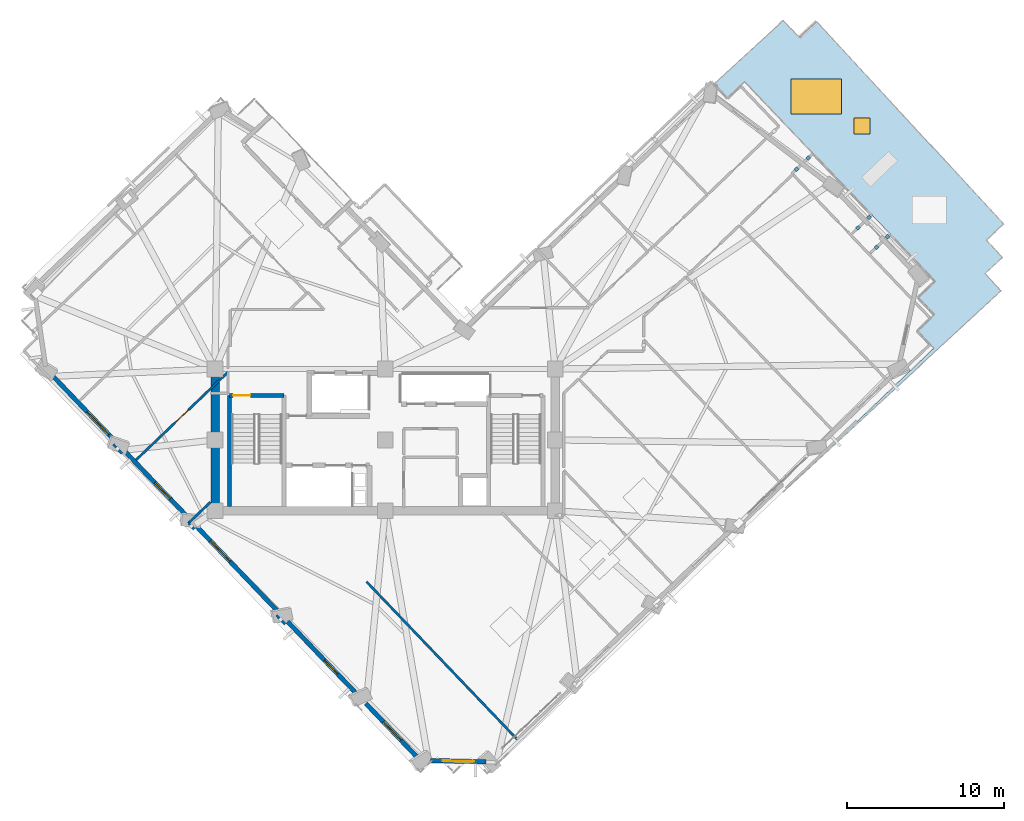
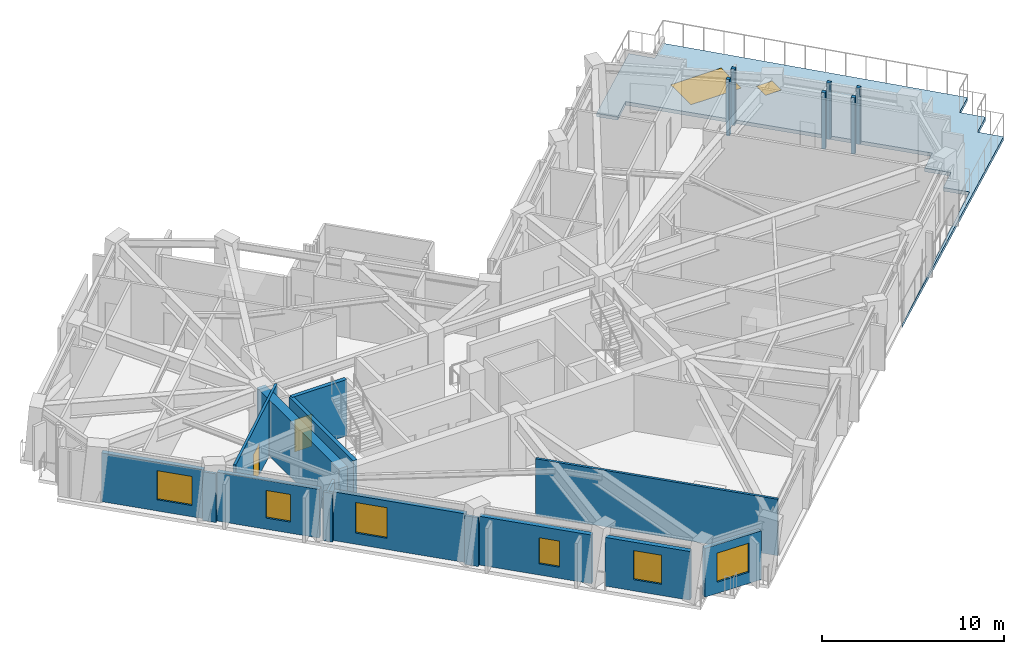
# One storey, part 8 of 17: 15 walls, 7 windows, 6 plates, 3 doors, 1 slab, 10 openings.
"""IFC4 building model written with IfcOpenShell, lengths in metres."""

from ifc_helpers import new_model, si_unit, direction, frame, frame_2d, origin, origin_2d, place, context, subcontext, project, spatial, polyline, rectangle, outline, extrude, material, layer, layer_set, type_object, element, fill, save


model = new_model("IFC4")

# Units and contexts
model_context = context("Model", 3, precision=1e-05, world=origin(), true_north=direction((0.0, 1.0)))
body_context = subcontext(model_context, "Body", "Model", "MODEL_VIEW")
ifc_project = project(units=[si_unit("LENGTHUNIT", "METRE"), si_unit("AREAUNIT", "SQUARE_METRE"), si_unit("VOLUMEUNIT", "CUBIC_METRE"), si_unit("PLANEANGLEUNIT", "RADIAN"), si_unit("MASSUNIT", "GRAM", prefix="KILO")], contexts=[model_context])

# Site, building, storey
site_placement = place(None, origin())
site = spatial("IfcSite", under=ifc_project, at=site_placement, CompositionType="ELEMENT")
building_placement = place(site_placement, origin())
building = spatial("IfcBuilding", under=site, at=building_placement, Name="Gaonmaruhae Medical Tower", CompositionType="ELEMENT")
storey_placement = place(building_placement, frame((0.0, 0.0, 211.199951171875)))
storey = spatial("IfcBuildingStorey", under=building, at=storey_placement, Name="L50", CompositionType="ELEMENT", Elevation=211.199951171875)

# Plates
ifc_material_1 = material(Name="Anodised aluminium 6063-T6", Category="aluminium")
ifc_layer_1 = layer(ifc_material_1, 0.011962890625)
ifc_layer_set_1 = layer_set([ifc_layer_1], Name="Anodised aluminium 6063-T6")
plate_type = type_object("IfcPlateType", Name="PP-01 Interior Partition Corner Stiffener Plate", PredefinedType="SHEET", material=ifc_layer_set_1)
for number, where, z_axis, x_axis, name in (
    (1, (50.9208984375, 29.484619140625, 0.0), (0.0, 0.0, 1.0), (0.722834492686, 0.691021198071, 0.0), "L50 Partition Corner Stiffener Plate PLT-L50-JGP-PW102"),
    (2, (51.66796875, 30.198486328125, 0.0), (0.0, 0.0, 1.0), (0.723461345851, 0.690364889793, 0.0), "L50 Partition Corner Stiffener Plate PLT-L50-JGP-PW103"),
    (3, (55.530517578125, 26.431396484375, 0.0), (0.0, 0.0, 1.0), (-0.722991261815, -0.690857174342, 0.0), "L50 Partition Corner Stiffener Plate PLT-L50-JGP-PW105"),
    (4, (54.8330078125, 25.765380859375, 0.0), (0.0, 0.0, 1.0), (-0.72287067348, -0.690983349599, 0.0), "L50 Partition Corner Stiffener Plate PLT-L50-JGP-PW106"),
    (5, (56.007080078125, 24.53662109375, 0.0), (0.0, 0.0, 1.0), (0.72287067348, 0.690983349599, 0.0), "L50 Partition Corner Stiffener Plate PLT-L50-JGP-PW107"),
    (6, (56.705078125, 25.202880859375, 0.0), (0.0, 0.0, 1.0), (0.723039490982, 0.690806698346, 0.0), "L50 Partition Corner Stiffener Plate PLT-L50-JGP-PW108"),
):
    element("IfcPlate", number, at=place(storey_placement, frame(where, z_axis=z_axis, x_axis=x_axis)), inside=storey, type_object=plate_type, Name=name, PredefinedType="SHEET", context=body_context, shape_type="SweptSolid", body=[
        extrude(rectangle(XDim=0.219970703125, YDim=0.219970703125, at=origin_2d()), origin(), (0.0, 0.0, 1.0), 3.780029296875),
    ])

# Slab, openings, door, window
ifc_material_2 = material(Name="Concrete C40/50", Category="concrete")
ifc_layer_2 = layer(ifc_material_2, 0.239990234375)
ifc_layer_set_2 = layer_set([ifc_layer_2], Name="Concrete C40/50")
slab_type = type_object("IfcSlabType", Name="TS-240 Sky Garden & Recovery Terrace Slab", PredefinedType="FLOOR", material=ifc_layer_set_2)
slab_placement = place(storey_placement, frame((0.0, 0.0, -0.239990234375)))
slab = element("IfcSlab", 7, at=slab_placement, inside=storey, type_object=slab_type, Name="L50 Stacked Setback Sky Garden Terrace Slab 1", PredefinedType="FLOOR", context=body_context, shape_type="SweptSolid", body=[
    extrude(outline(polyline([(51.095947265625, 37.841064453125), (52.197509765625, 38.859130859375), (64.076416015625, 26.008544921875), (62.97509765625, 24.990478515625), (63.993408203125, 23.888916015625), (62.891845703125, 22.87060546875), (63.909912109375, 21.769287109375), (50.101318359375, 9.004638671875), (59.646484375, 18.126220703125), (58.610107421875, 19.210693359375), (59.694580078125, 20.2470703125), (58.658203125, 21.33154296875), (59.742919921875, 22.367919921875), (47.624755859375, 35.048583984375), (46.540283203125, 34.01220703125), (45.697998046875, 34.893798828125), (50.077880859375, 38.9423828125), (51.095947265625, 37.841064453125)])), origin(), (0.0, 0.0, 1.0), 0.239990234375),
])
opening_1_placement = place(slab_placement, frame((52.17578125, 34.10107421875, 0.0)))
opening_1 = element("IfcOpeningElement", 8, at=opening_1_placement, cuts=slab, Name="Opening SK-02", PredefinedType="OPENING", context=body_context, shape_type="SweptSolid", body=[
    extrude(rectangle(XDim=3.199951171875, YDim=2.199951171875, at=origin_2d()), frame((0.0, 0.0, -0.010009765625)), (0.0, 0.0, 1.0), 0.260009765625),
])
opening_2_placement = place(slab_placement, frame((55.07763671875, 32.2333984375, 0.0)))
opening_2 = element("IfcOpeningElement", 9, at=opening_2_placement, cuts=slab, Name="Opening HT-01", PredefinedType="OPENING", context=body_context, shape_type="SweptSolid", body=[
    extrude(rectangle(XDim=1.0, YDim=1.0, at=origin_2d()), frame((0.0, 0.0, -0.010009765625)), (0.0, 0.0, 1.0), 0.260009765625),
])
ifc_material_3 = material(Name="Powder-coated steel access hatch", Category="steel")
door_type_1 = type_object("IfcDoorType", Name="HT-01 Insulated Roof & Terrace Access Hatch 1000x1000", OperationType="NOTDEFINED", PredefinedType="TRAPDOOR", material=ifc_material_3)
door_1_placement = place(opening_2_placement, frame((0.0, 0.0, 0.199951171875)))
door_1 = element("IfcDoor", 10, at=door_1_placement, inside=storey, type_object=door_type_1, Name="L50 Terrace Maintenance Access Hatch SLB-L50-SKYG1", OperationType="SINGLE_SWING_LEFT", OverallHeight=1.0, OverallWidth=1.0, PredefinedType="TRAPDOOR", context=body_context, shape_type="SweptSolid", body=[
    extrude(rectangle(XDim=1.0, YDim=1.0, at=origin_2d()), origin(), (0.0, 0.0, 1.0), 0.0400390625),
])
fill(opening_2, door_1)
ifc_material_4 = material(Name="Anodised aluminium and Low-E double glazing", Category="aluminium")
window_type_1 = type_object("IfcWindowType", Name="SK-02 Sky Garden Canopy Skylight 3200x2200", PartitioningType="SINGLE_PANEL", PredefinedType="SKYLIGHT", material=ifc_material_4)
window_1_placement = place(opening_1_placement, frame((0.0, 0.0, 0.199951171875)))
window_1 = element("IfcWindow", 11, at=window_1_placement, inside=storey, type_object=window_type_1, Name="L50 Daylighting Skylight SLB-L50-SKYG1", OverallHeight=2.199951171875, OverallWidth=3.199951171875, PartitioningType="SINGLE_PANEL", PredefinedType="SKYLIGHT", context=body_context, shape_type="SweptSolid", body=[
    extrude(rectangle(XDim=3.199951171875, YDim=2.199951171875, at=origin_2d()), origin(), (0.0, 0.0, 1.0), 0.0400390625),
])
fill(opening_1, window_1)

# Wall
ifc_material_5 = material(Name="Concrete C50/60", Category="concrete")
ifc_layer_3 = layer(ifc_material_5, 0.550048828125)
ifc_layer_set_3 = layer_set([ifc_layer_3], Name="Concrete C50/60")
wall_type_1 = type_object("IfcWallType", Name="CW-550 Mid-High Core Shear Wall", PredefinedType="SHEAR", material=ifc_layer_set_3)
wall_1_placement = place(storey_placement, frame((14.0, 16.800048828125, 0.0), z_axis=(0.0, 0.0, 1.0), x_axis=(0.0, -1.0, 0.0)))
element("IfcWall", 12, at=wall_1_placement, inside=storey, type_object=wall_type_1, Name="L50 Core Shear Wall CSW-W1", PredefinedType="SHEAR", context=body_context, shape_type="SweptSolid", body=[
    extrude(rectangle(XDim=9.0, YDim=0.550048828125, at=frame_2d((4.5, 0.0))), origin(), (0.0, 0.0, 1.0), 3.780029296875),
])

# Wall, opening, window
ifc_material_6 = material(Name="Precast concrete C45/55", Category="concrete")
ifc_layer_4 = layer(ifc_material_6, 0.280029296875)
ifc_layer_set_4 = layer_set([ifc_layer_4], Name="Precast concrete C45/55")
wall_type_2 = type_object("IfcWallType", Name="EW-280 Upper Precast Masonry-Frame Facade Wall", PredefinedType="SOLIDWALL", material=ifc_layer_set_4)
wall_2_placement = place(storey_placement, frame((7.7001953125, 12.1708984375, 0.0), z_axis=(0.0, 0.0, 1.0), x_axis=(-0.690886955568, 0.722962803072, 0.0)))
wall_2 = element("IfcWall", 13, at=wall_2_placement, inside=storey, type_object=wall_type_2, Name="L50 Precast Masonry-Frame Wall W01-W02", PredefinedType="SOLIDWALL", context=body_context, shape_type="SweptSolid", body=[
    extrude(rectangle(XDim=5.830322265625, YDim=0.280029296875, at=frame_2d((2.9150390625, 0.0))), origin(), (0.0, 0.0, 1.0), 3.26513671875),
])
opening_3_placement = place(wall_2_placement, frame((0.639892578125, 0.0, 0.75)))
opening_3 = element("IfcOpeningElement", 14, at=opening_3_placement, cuts=wall_2, Name="Opening WN-02", PredefinedType="OPENING", context=body_context, shape_type="SweptSolid", body=[
    extrude(rectangle(XDim=2.0, YDim=1.949951171875, at=frame_2d((1.0, 0.97509765625))), frame((0.0, 0.14990234375, 0.0), z_axis=(0.0, -1.0, 0.0), x_axis=(1.0, 0.0, 0.0)), (0.0, 0.0, 1.0), 0.300048828125),
])
window_type_2 = type_object("IfcWindowType", Name="WN-02 Double-Bed Ward Punched Window 2000x1950", PartitioningType="SINGLE_PANEL", PredefinedType="WINDOW", material=ifc_material_4)
window_2_placement = place(opening_3_placement, origin())
window_2 = element("IfcWindow", 15, at=window_2_placement, inside=storey, type_object=window_type_2, Name="L50 Modular Facade Window W01", OverallHeight=1.949951171875, OverallWidth=2.0, PartitioningType="SINGLE_PANEL", PredefinedType="WINDOW", context=body_context, shape_type="SweptSolid", body=[
    extrude(rectangle(XDim=2.0, YDim=1.949951171875, at=frame_2d((1.0, 0.97509765625))), frame((0.0, 0.030029296875, 0.0), z_axis=(0.0, -1.0, 0.0), x_axis=(1.0, 0.0, 0.0)), (0.0, 0.0, 1.0), 0.06005859375),
])
fill(opening_3, window_2)

wall_3_placement = place(storey_placement, frame((12.290283203125, 7.36767578125, 0.0), z_axis=(0.0, 0.0, 1.0), x_axis=(-0.690908576556, 0.722942140729, 0.0)))
wall_3 = element("IfcWall", 16, at=wall_3_placement, inside=storey, type_object=wall_type_2, Name="L50 Precast Masonry-Frame Wall W02-W03", PredefinedType="SOLIDWALL", context=body_context, shape_type="SweptSolid", body=[
    extrude(rectangle(XDim=5.86083984375, YDim=0.280029296875, at=frame_2d((2.930419921875, 0.0))), origin(), (0.0, 0.0, 1.0), 3.26513671875),
])
opening_4_placement = place(wall_3_placement, frame((1.660400390625, 0.0, 0.75)))
opening_4 = element("IfcOpeningElement", 17, at=opening_4_placement, cuts=wall_3, Name="Opening WN-03", PredefinedType="OPENING", context=body_context, shape_type="SweptSolid", body=[
    extrude(rectangle(XDim=1.39990234375, YDim=1.85009765625, at=frame_2d((0.699951171875, 0.925048828125))), frame((0.0, 0.14990234375, 0.0), z_axis=(0.0, -1.0, 0.0), x_axis=(1.0, 0.0, 0.0)), (0.0, 0.0, 1.0), 0.300048828125),
])
window_type_3 = type_object("IfcWindowType", Name="WN-03 Isolation Ward Punched Window 1400x1850", PartitioningType="SINGLE_PANEL", PredefinedType="WINDOW", material=ifc_material_4)
window_3_placement = place(opening_4_placement, origin())
window_3 = element("IfcWindow", 18, at=window_3_placement, inside=storey, type_object=window_type_3, Name="L50 Modular Facade Window W02", OverallHeight=1.85009765625, OverallWidth=1.39990234375, PartitioningType="SINGLE_PANEL", PredefinedType="WINDOW", context=body_context, shape_type="SweptSolid", body=[
    extrude(rectangle(XDim=1.39990234375, YDim=1.85009765625, at=frame_2d((0.699951171875, 0.925048828125))), frame((0.0, 0.030029296875, 0.0), z_axis=(0.0, -1.0, 0.0), x_axis=(1.0, 0.0, 0.0)), (0.0, 0.0, 1.0), 0.06005859375),
])
fill(opening_4, window_3)

wall_4_placement = place(storey_placement, frame((18.06103515625, 1.32861328125, 0.0), z_axis=(0.0, 0.0, 1.0), x_axis=(-0.690871278524, 0.722977784244, 0.0)))
wall_4 = element("IfcWall", 19, at=wall_4_placement, inside=storey, type_object=wall_type_2, Name="L50 Precast Masonry-Frame Wall W03-W04", PredefinedType="SOLIDWALL", context=body_context, shape_type="SweptSolid", body=[
    extrude(rectangle(XDim=7.558349609375, YDim=0.280029296875, at=frame_2d((3.779296875, 0.0))), origin(), (0.0, 0.0, 1.0), 3.26513671875),
])
opening_5_placement = place(wall_4_placement, frame((4.505859375, 0.0, 0.75)))
opening_5 = element("IfcOpeningElement", 20, at=opening_5_placement, cuts=wall_4, Name="Opening WN-04", PredefinedType="OPENING", context=body_context, shape_type="SweptSolid", body=[
    extrude(rectangle(XDim=1.800048828125, YDim=2.050048828125, at=frame_2d((0.89990234375, 1.02490234375))), frame((0.0, 0.14990234375, 0.0), z_axis=(0.0, -1.0, 0.0), x_axis=(1.0, 0.0, 0.0)), (0.0, 0.0, 1.0), 0.300048828125),
])
window_type_4 = type_object("IfcWindowType", Name="WN-04 Clinic & Consult Punched Window 1800x2050", PartitioningType="SINGLE_PANEL", PredefinedType="WINDOW", material=ifc_material_4)
window_4_placement = place(opening_5_placement, origin())
window_4 = element("IfcWindow", 21, at=window_4_placement, inside=storey, type_object=window_type_4, Name="L50 Modular Facade Window W03", OverallHeight=2.050048828125, OverallWidth=1.800048828125, PartitioningType="SINGLE_PANEL", PredefinedType="WINDOW", context=body_context, shape_type="SweptSolid", body=[
    extrude(rectangle(XDim=1.800048828125, YDim=2.050048828125, at=frame_2d((0.89990234375, 1.02490234375))), frame((0.0, 0.030029296875, 0.0), z_axis=(0.0, -1.0, 0.0), x_axis=(1.0, 0.0, 0.0)), (0.0, 0.0, 1.0), 0.06005859375),
])
fill(opening_5, window_4)

wall_5_placement = place(storey_placement, frame((23.044189453125, -3.8857421875, 0.0), z_axis=(0.0, 0.0, 1.0), x_axis=(-0.69089043175, 0.722959481103, 0.0)))
wall_5 = element("IfcWall", 22, at=wall_5_placement, inside=storey, type_object=wall_type_2, Name="L50 Precast Masonry-Frame Wall W04-W05", PredefinedType="SOLIDWALL", context=body_context, shape_type="SweptSolid", body=[
    extrude(rectangle(XDim=6.42529296875, YDim=0.280029296875, at=frame_2d((3.212646484375, 0.0))), origin(), (0.0, 0.0, 1.0), 3.26513671875),
])
opening_6_placement = place(wall_5_placement, frame((1.82763671875, 0.0, 0.75)))
opening_6 = element("IfcOpeningElement", 23, at=opening_6_placement, cuts=wall_5, Name="Opening WN-05", PredefinedType="OPENING", context=body_context, shape_type="SweptSolid", body=[
    extrude(rectangle(XDim=1.199951171875, YDim=1.75, at=frame_2d((0.60009765625, 0.875))), frame((0.0, 0.14990234375, 0.0), z_axis=(0.0, -1.0, 0.0), x_axis=(1.0, 0.0, 0.0)), (0.0, 0.0, 1.0), 0.300048828125),
])
window_type_5 = type_object("IfcWindowType", Name="WN-05 Support & Staff Punched Window 1200x1750", PartitioningType="SINGLE_PANEL", PredefinedType="WINDOW", material=ifc_material_4)
window_5_placement = place(opening_6_placement, origin())
window_5 = element("IfcWindow", 24, at=window_5_placement, inside=storey, type_object=window_type_5, Name="L50 Modular Facade Window W04", OverallHeight=1.75, OverallWidth=1.199951171875, PartitioningType="SINGLE_PANEL", PredefinedType="WINDOW", context=body_context, shape_type="SweptSolid", body=[
    extrude(rectangle(XDim=1.199951171875, YDim=1.75, at=frame_2d((0.60009765625, 0.875))), frame((0.0, 0.030029296875, 0.0), z_axis=(0.0, -1.0, 0.0), x_axis=(1.0, 0.0, 0.0)), (0.0, 0.0, 1.0), 0.06005859375),
])
fill(opening_6, window_5)

wall_6_placement = place(storey_placement, frame((26.9248046875, -7.946533203125, 0.0), z_axis=(0.0, 0.0, 1.0), x_axis=(-0.690885804833, 0.72296390275, 0.0)))
wall_6 = element("IfcWall", 25, at=wall_6_placement, inside=storey, type_object=wall_type_2, Name="L50 Precast Masonry-Frame Wall W05-W06", PredefinedType="SOLIDWALL", context=body_context, shape_type="SweptSolid", body=[
    extrude(rectangle(XDim=4.855712890625, YDim=0.280029296875, at=frame_2d((2.427734375, 0.0))), origin(), (0.0, 0.0, 1.0), 3.26513671875),
])
opening_7_placement = place(wall_6_placement, frame((1.632568359375, 0.0, 0.75)))
opening_7 = element("IfcOpeningElement", 26, at=opening_7_placement, cuts=wall_6, Name="Opening WN-01", PredefinedType="OPENING", context=body_context, shape_type="SweptSolid", body=[
    extrude(rectangle(XDim=1.60009765625, YDim=1.949951171875, at=frame_2d((0.800048828125, 0.97509765625))), frame((0.0, 0.14990234375, 0.0), z_axis=(0.0, -1.0, 0.0), x_axis=(1.0, 0.0, 0.0)), (0.0, 0.0, 1.0), 0.300048828125),
])
window_type_6 = type_object("IfcWindowType", Name="WN-01 Ward Punched Acoustic Window 1600x1950", PartitioningType="SINGLE_PANEL", PredefinedType="WINDOW", material=ifc_material_4)
window_6_placement = place(opening_7_placement, origin())
window_6 = element("IfcWindow", 27, at=window_6_placement, inside=storey, type_object=window_type_6, Name="L50 Modular Facade Window W05", OverallHeight=1.949951171875, OverallWidth=1.60009765625, PartitioningType="SINGLE_PANEL", PredefinedType="WINDOW", context=body_context, shape_type="SweptSolid", body=[
    extrude(rectangle(XDim=1.60009765625, YDim=1.949951171875, at=frame_2d((0.800048828125, 0.97509765625))), frame((0.0, 0.030029296875, 0.0), z_axis=(0.0, -1.0, 0.0), x_axis=(1.0, 0.0, 0.0)), (0.0, 0.0, 1.0), 0.06005859375),
])
fill(opening_7, window_6)

wall_7_placement = place(storey_placement, frame((31.2080078125, -8.140625, 0.0), z_axis=(0.0, 0.0, 1.0), x_axis=(-0.999742908356, 0.02267415252, 0.0)))
wall_7 = element("IfcWall", 28, at=wall_7_placement, inside=storey, type_object=wall_type_2, Name="L50 Precast Masonry-Frame Wall W06-S01", PredefinedType="SOLIDWALL", context=body_context, shape_type="SweptSolid", body=[
    extrude(rectangle(XDim=3.52099609375, YDim=0.280029296875, at=frame_2d((1.760498046875, 0.0))), origin(), (0.0, 0.0, 1.0), 3.26513671875),
])
opening_8_placement = place(wall_7_placement, frame((0.759765625, 0.0, 0.75)))
opening_8 = element("IfcOpeningElement", 29, at=opening_8_placement, cuts=wall_7, Name="Opening WN-02", PredefinedType="OPENING", context=body_context, shape_type="SweptSolid", body=[
    extrude(rectangle(XDim=2.0, YDim=1.949951171875, at=frame_2d((1.0, 0.97509765625))), frame((0.0, 0.14990234375, 0.0), z_axis=(0.0, -1.0, 0.0), x_axis=(1.0, 0.0, 0.0)), (0.0, 0.0, 1.0), 0.300048828125),
])
window_7_placement = place(opening_8_placement, origin())
window_7 = element("IfcWindow", 30, at=window_7_placement, inside=storey, type_object=window_type_2, Name="L50 Modular Facade Window W06", OverallHeight=1.949951171875, OverallWidth=2.0, PartitioningType="SINGLE_PANEL", PredefinedType="WINDOW", context=body_context, shape_type="SweptSolid", body=[
    extrude(rectangle(XDim=2.0, YDim=1.949951171875, at=frame_2d((1.0, 0.97509765625))), frame((0.0, 0.030029296875, 0.0), z_axis=(0.0, -1.0, 0.0), x_axis=(1.0, 0.0, 0.0)), (0.0, 0.0, 1.0), 0.06005859375),
])
fill(opening_8, window_7)

# Walls
ifc_material_7 = material(Name="Gypsum board partition", Category="gypsum")
ifc_layer_5 = layer(ifc_material_7, 0.14990234375)
ifc_layer_set_5 = layer_set([ifc_layer_5], Name="Gypsum board partition")
wall_type_3 = type_object("IfcWallType", Name="PW-150 Rated Clinical Corridor Partition", PredefinedType="PARTITIONING", material=ifc_layer_set_5)
wall_8_placement = place(storey_placement, frame((33.172119140625, -6.7041015625, 0.0), z_axis=(0.0, 0.0, 1.0), x_axis=(-0.690878686179, 0.722970705481, 0.0)))
element("IfcWall", 31, at=wall_8_placement, inside=storey, type_object=wall_type_3, Name="L50 Interior Partition L50-SUP02-10", PredefinedType="PARTITIONING", context=body_context, shape_type="SweptSolid", body=[
    extrude(rectangle(XDim=13.83056640625, YDim=0.14990234375, at=frame_2d((6.915283203125, 0.0))), origin(), (0.0, 0.0, 1.0), 3.780029296875),
])
wall_9_placement = place(storey_placement, frame((18.43896484375, 0.60107421875, 0.0), z_axis=(0.0, 0.0, 1.0), x_axis=(-0.691109951467, 0.722749635062, 0.0)))
element("IfcWall", 32, at=wall_9_placement, inside=storey, type_object=wall_type_3, Name="L50 Interior Partition L50-WOF10-38", PredefinedType="PARTITIONING", context=body_context, shape_type="SweptSolid", body=[
    extrude(rectangle(XDim=0.787109375, YDim=0.14990234375, at=frame_2d((0.3935546875, 0.0))), origin(), (0.0, 0.0, 1.0), 3.26513671875),
])
wall_10_placement = place(storey_placement, frame((12.673095703125, 6.634033203125, 0.0), z_axis=(0.0, 0.0, 1.0), x_axis=(-0.690895549769, 0.722954590074, 0.0)))
element("IfcWall", 33, at=wall_10_placement, inside=storey, type_object=wall_type_3, Name="L50 Interior Partition L50-WOF11-41", PredefinedType="PARTITIONING", context=body_context, shape_type="SweptSolid", body=[
    extrude(rectangle(XDim=0.525390625, YDim=0.14990234375, at=frame_2d((0.2626953125, 0.0))), origin(), (0.0, 0.0, 1.0), 3.26513671875),
])
wall_11_placement = place(storey_placement, frame((12.31005859375, 7.013916015625, 0.0), z_axis=(0.0, 0.0, 1.0), x_axis=(0.72298928154, 0.69085924672, 0.0)))
element("IfcWall", 34, at=wall_11_placement, inside=storey, type_object=wall_type_3, Name="L50 Interior Partition L50-WOF11-42", PredefinedType="PARTITIONING", context=body_context, shape_type="SweptSolid", body=[
    extrude(rectangle(XDim=1.92236328125, YDim=0.14990234375, at=frame_2d((0.961181640625, 0.0))), origin(), (0.0, 0.0, 1.0), 2.76513671875),
])

# Wall, opening, door
wall_12_placement = place(storey_placement, frame((8.967041015625, 11.010986328125, 0.0), z_axis=(0.0, 0.0, 1.0), x_axis=(0.72292274285, 0.690928873235, 0.0)))
wall_12 = element("IfcWall", 35, at=wall_12_placement, inside=storey, type_object=wall_type_3, Name="L50 Interior Partition L50-WCL12-43", PredefinedType="PARTITIONING", context=body_context, shape_type="SweptSolid", body=[
    extrude(rectangle(XDim=8.096435546875, YDim=0.14990234375, at=frame_2d((4.04833984375, 0.0))), origin(), (0.0, 0.0, 1.0), 3.780029296875),
])
opening_9_placement = place(wall_12_placement, frame((3.4482421875, 0.0, 0.0)))
opening_9 = element("IfcOpeningElement", 36, at=opening_9_placement, cuts=wall_12, Name="Opening CD-02", PredefinedType="OPENING", context=body_context, shape_type="SweptSolid", body=[
    extrude(rectangle(XDim=1.199951171875, YDim=2.14990234375, at=frame_2d((0.60009765625, 1.074951171875))), frame((0.0, 0.0849609375, 0.0), z_axis=(0.0, -1.0, 0.0), x_axis=(1.0, 0.0, 0.0)), (0.0, 0.0, 1.0), 0.169921875),
])
ifc_material_8 = material(Name="Antimicrobial laminate timber fire door", Category="wood")
door_type_2 = type_object("IfcDoorType", Name="CD-02 Clinical Treatment & Procedure Door 1200x2150", OperationType="NOTDEFINED", PredefinedType="DOOR", material=ifc_material_8)
door_2_placement = place(opening_9_placement, origin())
door_2 = element("IfcDoor", 37, at=door_2_placement, inside=storey, type_object=door_type_2, Name="L50 Specialist Consultation Office Sliding Door", OperationType="SLIDING_TO_LEFT", OverallHeight=2.14990234375, OverallWidth=1.199951171875, PredefinedType="DOOR", context=body_context, shape_type="SweptSolid", body=[
    extrude(rectangle(XDim=1.199951171875, YDim=2.14990234375, at=frame_2d((0.60009765625, 1.074951171875))), frame((0.0, 0.02490234375, 0.0), z_axis=(0.0, -1.0, 0.0), x_axis=(1.0, 0.0, 0.0)), (0.0, 0.0, 1.0), 0.050048828125),
])
fill(opening_9, door_2)

# Wall
wall_13_placement = place(storey_placement, frame((8.074951171875, 11.446044921875, 0.0), z_axis=(0.0, 0.0, 1.0), x_axis=(-0.691024375966, 0.722831454643, 0.0)))
element("IfcWall", 38, at=wall_13_placement, inside=storey, type_object=wall_type_3, Name="L50 Interior Partition L50-WOF13-48", PredefinedType="PARTITIONING", context=body_context, shape_type="SweptSolid", body=[
    extrude(rectangle(XDim=0.782958984375, YDim=0.14990234375, at=frame_2d((0.3916015625, 0.0))), origin(), (0.0, 0.0, 1.0), 3.26513671875),
])

# Wall, opening, door
ifc_layer_6 = layer(ifc_material_5, 0.239990234375)
ifc_layer_set_6 = layer_set([ifc_layer_6], Name="Concrete C50/60")
wall_type_4 = type_object("IfcWallType", Name="SW-240 Dogleg Stair Tight Shaft Wall", PredefinedType="SOLIDWALL", material=ifc_layer_set_6)
wall_14_placement = place(storey_placement, frame((14.919921875, 15.1201171875, 0.0), z_axis=(0.0, 0.0, 1.0), x_axis=(1.0, 0.0, 0.0)))
wall_14 = element("IfcWall", 39, at=wall_14_placement, inside=storey, type_object=wall_type_4, Name="L50 ST-01 Stair Shaft Wall SHW-ST-01-N", PredefinedType="SOLIDWALL", context=body_context, shape_type="SweptSolid", body=[
    extrude(rectangle(XDim=3.4599609375, YDim=0.239990234375, at=frame_2d((1.72998046875, 0.0))), origin(), (0.0, 0.0, 1.0), 3.780029296875),
])
opening_10_placement = place(wall_14_placement, frame((0.219970703125, 0.0, 0.0)))
opening_10 = element("IfcOpeningElement", 40, at=opening_10_placement, cuts=wall_14, Name="Opening FD-01", PredefinedType="OPENING", context=body_context, shape_type="SweptSolid", body=[
    extrude(rectangle(XDim=1.10009765625, YDim=2.14990234375, at=frame_2d((0.550048828125, 1.074951171875))), frame((0.0, 0.1298828125, 0.0), z_axis=(0.0, -1.0, 0.0), x_axis=(1.0, 0.0, 0.0)), (0.0, 0.0, 1.0), 0.260009765625),
])
ifc_material_9 = material(Name="Powder-coated steel fire door", Category="steel")
door_type_3 = type_object("IfcDoorType", Name="FD-01 Escape Stair Protected Fire Door 1100x2150", OperationType="NOTDEFINED", PredefinedType="DOOR", material=ifc_material_9)
door_3_placement = place(opening_10_placement, origin())
door_3 = element("IfcDoor", 41, at=door_3_placement, inside=storey, type_object=door_type_3, Name="L50 ST-01 Protected Escape Stair Door", OperationType="SINGLE_SWING_RIGHT", OverallHeight=2.14990234375, OverallWidth=1.10009765625, PredefinedType="DOOR", context=body_context, shape_type="SweptSolid", body=[
    extrude(rectangle(XDim=1.10009765625, YDim=2.14990234375, at=frame_2d((0.550048828125, 1.074951171875))), frame((0.0, 0.02490234375, 0.0), z_axis=(0.0, -1.0, 0.0), x_axis=(1.0, 0.0, 0.0)), (0.0, 0.0, 1.0), 0.050048828125),
])
fill(opening_10, door_3)

# Wall
wall_15_placement = place(storey_placement, frame((14.919921875, 8.074951171875, 0.0), z_axis=(0.0, 0.0, 1.0), x_axis=(0.0, 1.0, 0.0)))
element("IfcWall", 42, at=wall_15_placement, inside=storey, type_object=wall_type_4, Name="L50 ST-01 Stair Shaft Wall SHW-ST-01-W", PredefinedType="SOLIDWALL", context=body_context, shape_type="SweptSolid", body=[
    extrude(rectangle(XDim=7.045166015625, YDim=0.239990234375, at=frame_2d((3.5224609375, 0.0))), origin(), (0.0, 0.0, 1.0), 3.780029296875),
])

save(model, "model.ifc")
